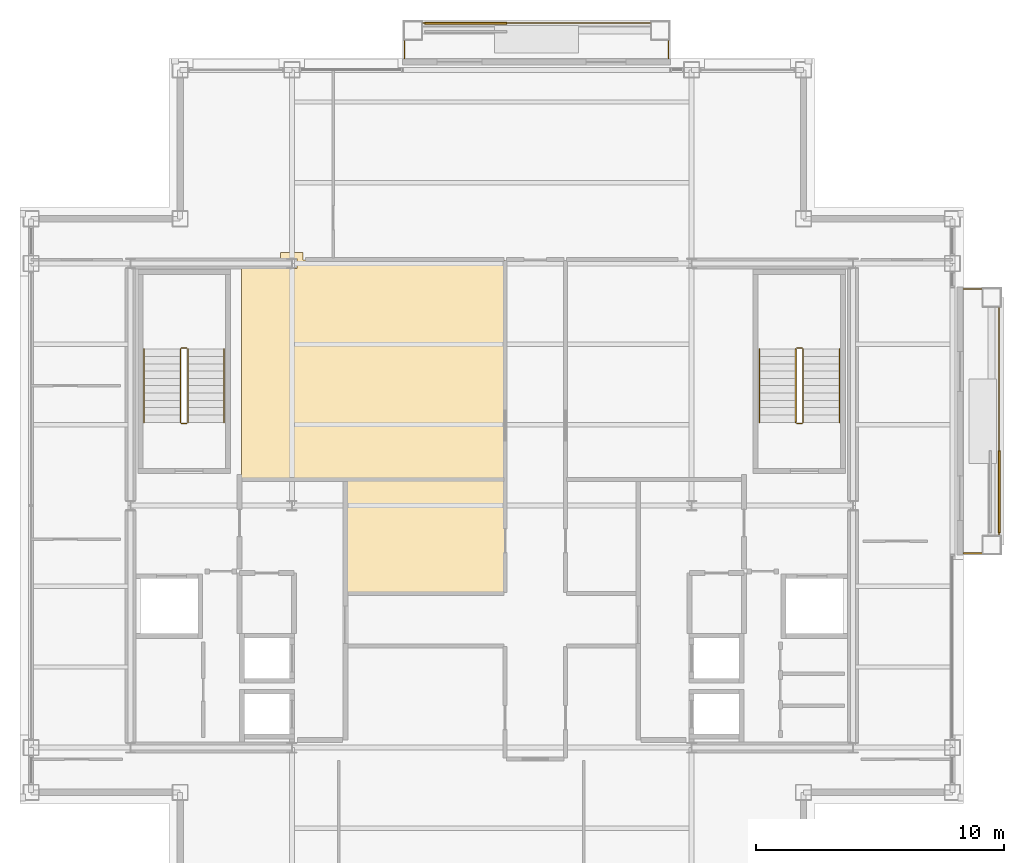
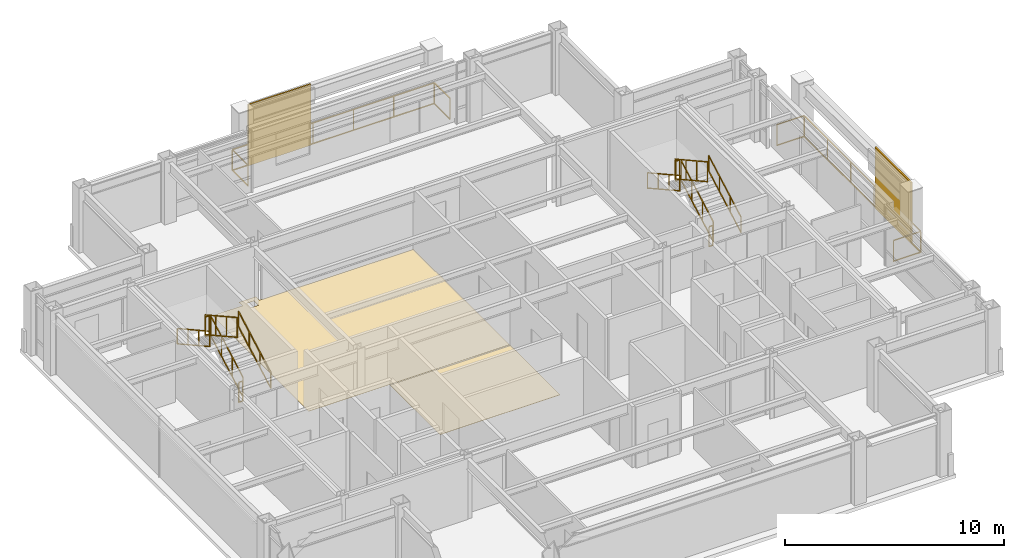
# One storey, part 23 of 24: 14 railings, 2 coverings, 2 shading devices.
"""IFC4 building model written with IfcOpenShell, lengths in metres."""

from ifc_helpers import new_model, si_unit, direction, frame, origin, origin_2d, place, context, subcontext, project, spatial, polyline, rectangle, outline, extrude, material, layer, layer_set, type_object, element, save


model = new_model("IFC4")

# Units and contexts
model_context = context("Model", 3, precision=1e-05, world=origin(), true_north=direction((0.0, 1.0)))
body_context = subcontext(model_context, "Body", "Model", "MODEL_VIEW")
ifc_project = project(units=[si_unit("LENGTHUNIT", "METRE"), si_unit("AREAUNIT", "SQUARE_METRE"), si_unit("VOLUMEUNIT", "CUBIC_METRE"), si_unit("PLANEANGLEUNIT", "RADIAN"), si_unit("MASSUNIT", "GRAM", prefix="KILO")], contexts=[model_context])

# Site, building, storey
site_placement = place(None, origin())
site = spatial("IfcSite", under=ifc_project, at=site_placement, CompositionType="ELEMENT")
building_placement = place(site_placement, origin())
building = spatial("IfcBuilding", under=site, at=building_placement, Name="Brelmoor Portico Tower", CompositionType="ELEMENT")
storey_placement = place(building_placement, frame((0.0, 0.0, 240.0)))
storey = spatial("IfcBuildingStorey", under=building, at=storey_placement, Name="L63", CompositionType="ELEMENT", Elevation=240.0)

# Coverings
ifc_material_1 = material(Name="Solution-Dyed Nylon Acoustic Carpet Tile", Category="textile")
ifc_layer_1 = layer(ifc_material_1, 0.013916015625)
ifc_layer_set_1 = layer_set([ifc_layer_1], Name="Solution-Dyed Nylon Acoustic Carpet Tile")
covering_type_1 = type_object("IfcCoveringType", Name="CV-FLR-CARPET-14", PredefinedType="FLOORING", material=ifc_layer_set_1)
covering_1_placement = place(storey_placement, origin())
element("IfcCovering", 1, at=covering_1_placement, inside=storey, type_object=covering_type_1, Name="L63 Architectural Floor Finish 01", PredefinedType="FLOORING", context=body_context, shape_type="SweptSolid", body=[
    extrude(outline(polyline([(-10.080078125, 9.8798828125), (-8.5, 9.8798828125), (-8.5, 10.199951171875), (-7.60009765625, 10.199951171875), (-7.60009765625, 9.8798828125), (0.510009765625, 9.8798828125), (0.510009765625, 1.090087890625), (-10.080078125, 1.090087890625), (-10.080078125, 9.8798828125)]), holes=[polyline([(-7.85009765625, 9.550048828125), (-7.85009765625, 9.949951171875), (-8.25, 9.949951171875), (-8.25, 9.550048828125), (-7.85009765625, 9.550048828125)])]), origin(), (0.0, 0.0, 1.0), 0.013916015625),
])
ifc_material_2 = material(Name="Rectified Vitrified Porcelain Floor Tile", Category="ceramic")
ifc_layer_2 = layer(ifc_material_2, 0.01806640625)
ifc_layer_set_2 = layer_set([ifc_layer_2], Name="Rectified Vitrified Porcelain Floor Tile")
covering_type_2 = type_object("IfcCoveringType", Name="CV-FLR-PORCELAIN-18", PredefinedType="FLOORING", material=ifc_layer_set_2)
covering_2_placement = place(storey_placement, origin())
element("IfcCovering", 2, at=covering_2_placement, inside=storey, type_object=covering_type_2, Name="L63 Architectural Floor Finish 02", PredefinedType="FLOORING", context=body_context, shape_type="SweptSolid", body=[
    extrude(outline(polyline([(-5.820068359375, -3.510009765625), (-5.820068359375, 1.0400390625), (0.510009765625, 1.0400390625), (0.510009765625, -3.510009765625), (-5.820068359375, -3.510009765625)])), origin(), (0.0, 0.0, 1.0), 0.01806640625),
])

# Railings
ifc_material_3 = material(Name="Perforated Pale Champagne Aluminium Fretwork Guard", Category="aluminium")
railing_type_1 = type_object("IfcRailingType", Name="RL-BALUSTRADE-1200", PredefinedType="BALUSTRADE", material=ifc_material_3)
railing_1_placement = place(storey_placement, frame((-3.52001953125, 18.0, 0.0)))
element("IfcRailing", 3, at=railing_1_placement, inside=storey, type_object=railing_type_1, Name="L63 Tree Balcony Fretwork Balustrade N", PredefinedType="BALUSTRADE", context=body_context, shape_type="SweptSolid", body=[
    extrude(rectangle(XDim=0.048095703125, YDim=0.048095703125, at=origin_2d()), frame((0.0, 0.0, 1.17578125), z_axis=(0.0, 1.0, 0.0), x_axis=(-1.0, 0.0, 0.0)), (0.0, 0.0, 1.0), 1.429931640625),
    extrude(rectangle(XDim=0.048095703125, YDim=0.048095703125, at=origin_2d()), frame((0.0, 0.0, 0.02392578125), z_axis=(0.0, 1.0, 0.0), x_axis=(-1.0, 0.0, 0.0)), (0.0, 0.0, 1.0), 1.429931640625),
    extrude(rectangle(XDim=0.048095703125, YDim=0.048095703125, at=origin_2d()), frame((0.0, 1.429931640625, 1.17578125), z_axis=(1.0, 0.0, 0.0), x_axis=(0.0, 1.0, 0.0)), (0.0, 0.0, 1.0), 10.64013671875),
    extrude(rectangle(XDim=0.048095703125, YDim=0.048095703125, at=origin_2d()), frame((0.0, 1.429931640625, 0.02392578125), z_axis=(1.0, 0.0, 0.0), x_axis=(0.0, 1.0, 0.0)), (0.0, 0.0, 1.0), 10.64013671875),
    extrude(rectangle(XDim=0.048095703125, YDim=0.048095703125, at=origin_2d()), frame((10.64013671875, 1.429931640625, 1.17578125), z_axis=(0.0, -1.0, 0.0), x_axis=(1.0, 0.0, 0.0)), (0.0, 0.0, 1.0), 1.429931640625),
    extrude(rectangle(XDim=0.048095703125, YDim=0.048095703125, at=origin_2d()), frame((10.64013671875, 1.429931640625, 0.02392578125), z_axis=(0.0, -1.0, 0.0), x_axis=(1.0, 0.0, 0.0)), (0.0, 0.0, 1.0), 1.429931640625),
    extrude(rectangle(XDim=0.0419921875, YDim=0.0419921875, at=origin_2d()), origin(), (0.0, 0.0, 1.0), 1.15185546875),
    extrude(rectangle(XDim=0.0419921875, YDim=0.0419921875, at=origin_2d()), frame((0.0, 1.429931640625, 0.0)), (0.0, 0.0, 1.0), 1.15185546875),
    extrude(rectangle(XDim=0.0419921875, YDim=0.0419921875, at=origin_2d()), frame((2.1279296875, 1.429931640625, 0.0)), (0.0, 0.0, 1.0), 1.15185546875),
    extrude(rectangle(XDim=0.0419921875, YDim=0.0419921875, at=origin_2d()), frame((4.256103515625, 1.429931640625, 0.0)), (0.0, 0.0, 1.0), 1.15185546875),
    extrude(rectangle(XDim=0.0419921875, YDim=0.0419921875, at=origin_2d()), frame((6.384033203125, 1.429931640625, 0.0)), (0.0, 0.0, 1.0), 1.15185546875),
    extrude(rectangle(XDim=0.0419921875, YDim=0.0419921875, at=origin_2d()), frame((8.51220703125, 1.429931640625, 0.0)), (0.0, 0.0, 1.0), 1.15185546875),
    extrude(rectangle(XDim=0.0419921875, YDim=0.0419921875, at=origin_2d()), frame((10.64013671875, 1.429931640625, 0.0)), (0.0, 0.0, 1.0), 1.15185546875),
    extrude(rectangle(XDim=0.0419921875, YDim=0.0419921875, at=origin_2d()), frame((10.64013671875, 0.0, 0.0)), (0.0, 0.0, 1.0), 1.15185546875),
])
railing_2_placement = place(storey_placement, frame((19.0, -1.919921875, 0.0)))
element("IfcRailing", 4, at=railing_2_placement, inside=storey, type_object=railing_type_1, Name="L63 Tree Balcony Fretwork Balustrade E", PredefinedType="BALUSTRADE", context=body_context, shape_type="SweptSolid", body=[
    extrude(rectangle(XDim=0.048095703125, YDim=0.048095703125, at=origin_2d()), frame((0.0, 0.0, 1.17578125), z_axis=(1.0, 0.0, 0.0), x_axis=(0.0, 1.0, 0.0)), (0.0, 0.0, 1.0), 1.429931640625),
    extrude(rectangle(XDim=0.048095703125, YDim=0.048095703125, at=origin_2d()), frame((0.0, 0.0, 0.02392578125), z_axis=(1.0, 0.0, 0.0), x_axis=(0.0, 1.0, 0.0)), (0.0, 0.0, 1.0), 1.429931640625),
    extrude(rectangle(XDim=0.048095703125, YDim=0.048095703125, at=origin_2d()), frame((1.429931640625, 0.0, 1.17578125), z_axis=(0.0, 1.0, 0.0), x_axis=(-1.0, 0.0, 0.0)), (0.0, 0.0, 1.0), 10.639892578125),
    extrude(rectangle(XDim=0.048095703125, YDim=0.048095703125, at=origin_2d()), frame((1.429931640625, 0.0, 0.02392578125), z_axis=(0.0, 1.0, 0.0), x_axis=(-1.0, 0.0, 0.0)), (0.0, 0.0, 1.0), 10.639892578125),
    extrude(rectangle(XDim=0.048095703125, YDim=0.048095703125, at=origin_2d()), frame((1.429931640625, 10.639892578125, 1.17578125), z_axis=(-1.0, 0.0, 0.0), x_axis=(0.0, -1.0, 0.0)), (0.0, 0.0, 1.0), 1.429931640625),
    extrude(rectangle(XDim=0.048095703125, YDim=0.048095703125, at=origin_2d()), frame((1.429931640625, 10.639892578125, 0.02392578125), z_axis=(-1.0, 0.0, 0.0), x_axis=(0.0, -1.0, 0.0)), (0.0, 0.0, 1.0), 1.429931640625),
    extrude(rectangle(XDim=0.0419921875, YDim=0.0419921875, at=origin_2d()), origin(), (0.0, 0.0, 1.0), 1.15185546875),
    extrude(rectangle(XDim=0.0419921875, YDim=0.0419921875, at=origin_2d()), frame((1.429931640625, 0.0, 0.0)), (0.0, 0.0, 1.0), 1.15185546875),
    extrude(rectangle(XDim=0.0419921875, YDim=0.0419921875, at=origin_2d()), frame((1.429931640625, 2.1279296875, 0.0)), (0.0, 0.0, 1.0), 1.15185546875),
    extrude(rectangle(XDim=0.0419921875, YDim=0.0419921875, at=origin_2d()), frame((1.429931640625, 4.255859375, 0.0)), (0.0, 0.0, 1.0), 1.15185546875),
    extrude(rectangle(XDim=0.0419921875, YDim=0.0419921875, at=origin_2d()), frame((1.429931640625, 6.384033203125, 0.0)), (0.0, 0.0, 1.0), 1.15185546875),
    extrude(rectangle(XDim=0.0419921875, YDim=0.0419921875, at=origin_2d()), frame((1.429931640625, 8.511962890625, 0.0)), (0.0, 0.0, 1.0), 1.15185546875),
    extrude(rectangle(XDim=0.0419921875, YDim=0.0419921875, at=origin_2d()), frame((1.429931640625, 10.639892578125, 0.0)), (0.0, 0.0, 1.0), 1.15185546875),
    extrude(rectangle(XDim=0.0419921875, YDim=0.0419921875, at=origin_2d()), frame((0.0, 10.639892578125, 0.0)), (0.0, 0.0, 1.0), 1.15185546875),
])
ifc_material_4 = material(Name="Painted Tubular Steel Q235B", Category="steel")
railing_type_2 = type_object("IfcRailingType", Name="RL-STAIR-GUARD", PredefinedType="GUARDRAIL", material=ifc_material_4)
railing_3_placement = place(storey_placement, frame((-12.239990234375, 3.35009765625, 0.16357421875)))
element("IfcRailing", 5, at=railing_3_placement, inside=storey, type_object=railing_type_2, Name="L63 ST-W stair guard 1", PredefinedType="GUARDRAIL", context=body_context, shape_type="SweptSolid", body=[
    extrude(rectangle(XDim=0.048095703125, YDim=0.048095703125, at=origin_2d()), frame((0.0, 0.0, 1.1259765625), z_axis=(0.0, 0.874457516365, 0.485102104791), x_axis=(-1.0, 0.0, 0.0)), (0.0, 0.0, 1.0), 3.37353515625),
    extrude(rectangle(XDim=0.048095703125, YDim=0.048095703125, at=origin_2d()), frame((0.0, 0.0, 0.02392578125), z_axis=(0.0, 0.874457516365, 0.485102104791), x_axis=(-1.0, 0.0, 0.0)), (0.0, 0.0, 1.0), 3.37353515625),
    extrude(rectangle(XDim=0.0419921875, YDim=0.0419921875, at=origin_2d()), origin(), (0.0, 0.0, 1.0), 1.101806640625),
    extrude(rectangle(XDim=0.0419921875, YDim=0.0419921875, at=origin_2d()), frame((0.0, 0.9833984375, 0.54541015625)), (0.0, 0.0, 1.0), 1.101806640625),
    extrude(rectangle(XDim=0.0419921875, YDim=0.0419921875, at=origin_2d()), frame((0.0, 1.966552734375, 1.091064453125)), (0.0, 0.0, 1.0), 1.101806640625),
    extrude(rectangle(XDim=0.0419921875, YDim=0.0419921875, at=origin_2d()), frame((0.0, 2.949951171875, 1.636474609375)), (0.0, 0.0, 1.0), 1.101806640625),
])
railing_4_placement = place(storey_placement, frame((-12.2900390625, 6.35009765625, 1.800048828125)))
element("IfcRailing", 6, at=railing_4_placement, inside=storey, type_object=railing_type_2, Name="L63 ST-W stair guard 2", PredefinedType="GUARDRAIL", context=body_context, shape_type="SweptSolid", body=[
    extrude(rectangle(XDim=0.048095703125, YDim=0.048095703125, at=origin_2d()), frame((0.0, 0.0, 1.1259765625), z_axis=(-1.0, 0.0, 0.0), x_axis=(0.0, -1.0, 0.0)), (0.0, 0.0, 1.0), 0.199951171875),
    extrude(rectangle(XDim=0.048095703125, YDim=0.048095703125, at=origin_2d()), frame((0.0, 0.0, 0.02392578125), z_axis=(-1.0, 0.0, 0.0), x_axis=(0.0, -1.0, 0.0)), (0.0, 0.0, 1.0), 0.199951171875),
    extrude(rectangle(XDim=0.0419921875, YDim=0.0419921875, at=origin_2d()), origin(), (0.0, 0.0, 1.0), 1.101806640625),
    extrude(rectangle(XDim=0.0419921875, YDim=0.0419921875, at=origin_2d()), frame((-0.199951171875, 0.0, 0.0)), (0.0, 0.0, 1.0), 1.101806640625),
])
railing_5_placement = place(storey_placement, frame((-12.5400390625, 6.300048828125, 1.963623046875)))
element("IfcRailing", 7, at=railing_5_placement, inside=storey, type_object=railing_type_2, Name="L63 ST-W stair guard 3", PredefinedType="GUARDRAIL", context=body_context, shape_type="SweptSolid", body=[
    extrude(rectangle(XDim=0.048095703125, YDim=0.048095703125, at=origin_2d()), frame((0.0, 0.0, 1.1259765625), z_axis=(0.0, -0.874457516365, 0.485102104791), x_axis=(1.0, 0.0, 0.0)), (0.0, 0.0, 1.0), 3.37353515625),
    extrude(rectangle(XDim=0.048095703125, YDim=0.048095703125, at=origin_2d()), frame((0.0, 0.0, 0.02392578125), z_axis=(0.0, -0.874457516365, 0.485102104791), x_axis=(1.0, 0.0, 0.0)), (0.0, 0.0, 1.0), 3.37353515625),
    extrude(rectangle(XDim=0.0419921875, YDim=0.0419921875, at=origin_2d()), origin(), (0.0, 0.0, 1.0), 1.101806640625),
    extrude(rectangle(XDim=0.0419921875, YDim=0.0419921875, at=origin_2d()), frame((0.0, -0.9833984375, 0.54541015625)), (0.0, 0.0, 1.0), 1.101806640625),
    extrude(rectangle(XDim=0.0419921875, YDim=0.0419921875, at=origin_2d()), frame((0.0, -1.966552734375, 1.091064453125)), (0.0, 0.0, 1.0), 1.101806640625),
    extrude(rectangle(XDim=0.0419921875, YDim=0.0419921875, at=origin_2d()), frame((0.0, -2.949951171875, 1.636474609375)), (0.0, 0.0, 1.0), 1.101806640625),
])
railing_6_placement = place(storey_placement, frame((-12.2900390625, 3.300048828125, 0.0)))
element("IfcRailing", 8, at=railing_6_placement, inside=storey, type_object=railing_type_2, Name="L63 ST-W stair guard 4", PredefinedType="GUARDRAIL", context=body_context, shape_type="SweptSolid", body=[
    extrude(rectangle(XDim=0.048095703125, YDim=0.048095703125, at=origin_2d()), frame((0.0, 0.0, 1.1259765625), z_axis=(-1.0, 0.0, 0.0), x_axis=(0.0, -1.0, 0.0)), (0.0, 0.0, 1.0), 0.199951171875),
    extrude(rectangle(XDim=0.048095703125, YDim=0.048095703125, at=origin_2d()), frame((0.0, 0.0, 0.02392578125), z_axis=(-1.0, 0.0, 0.0), x_axis=(0.0, -1.0, 0.0)), (0.0, 0.0, 1.0), 0.199951171875),
    extrude(rectangle(XDim=0.0419921875, YDim=0.0419921875, at=origin_2d()), origin(), (0.0, 0.0, 1.0), 1.101806640625),
    extrude(rectangle(XDim=0.0419921875, YDim=0.0419921875, at=origin_2d()), frame((-0.199951171875, 0.0, 0.0)), (0.0, 0.0, 1.0), 1.101806640625),
])
railing_7_placement = place(storey_placement, frame((12.5400390625, 3.35009765625, 0.16357421875)))
element("IfcRailing", 9, at=railing_7_placement, inside=storey, type_object=railing_type_2, Name="L63 ST-E stair guard 1", PredefinedType="GUARDRAIL", context=body_context, shape_type="SweptSolid", body=[
    extrude(rectangle(XDim=0.048095703125, YDim=0.048095703125, at=origin_2d()), frame((0.0, 0.0, 1.1259765625), z_axis=(0.0, 0.874457516365, 0.485102104791), x_axis=(-1.0, 0.0, 0.0)), (0.0, 0.0, 1.0), 3.37353515625),
    extrude(rectangle(XDim=0.048095703125, YDim=0.048095703125, at=origin_2d()), frame((0.0, 0.0, 0.02392578125), z_axis=(0.0, 0.874457516365, 0.485102104791), x_axis=(-1.0, 0.0, 0.0)), (0.0, 0.0, 1.0), 3.37353515625),
    extrude(rectangle(XDim=0.0419921875, YDim=0.0419921875, at=origin_2d()), origin(), (0.0, 0.0, 1.0), 1.101806640625),
    extrude(rectangle(XDim=0.0419921875, YDim=0.0419921875, at=origin_2d()), frame((0.0, 0.9833984375, 0.54541015625)), (0.0, 0.0, 1.0), 1.101806640625),
    extrude(rectangle(XDim=0.0419921875, YDim=0.0419921875, at=origin_2d()), frame((0.0, 1.966552734375, 1.091064453125)), (0.0, 0.0, 1.0), 1.101806640625),
    extrude(rectangle(XDim=0.0419921875, YDim=0.0419921875, at=origin_2d()), frame((0.0, 2.949951171875, 1.636474609375)), (0.0, 0.0, 1.0), 1.101806640625),
])
railing_8_placement = place(storey_placement, frame((12.489990234375, 6.35009765625, 1.800048828125)))
element("IfcRailing", 10, at=railing_8_placement, inside=storey, type_object=railing_type_2, Name="L63 ST-E stair guard 2", PredefinedType="GUARDRAIL", context=body_context, shape_type="SweptSolid", body=[
    extrude(rectangle(XDim=0.048095703125, YDim=0.048095703125, at=origin_2d()), frame((0.0, 0.0, 1.1259765625), z_axis=(-1.0, 0.0, 0.0), x_axis=(0.0, -1.0, 0.0)), (0.0, 0.0, 1.0), 0.199951171875),
    extrude(rectangle(XDim=0.048095703125, YDim=0.048095703125, at=origin_2d()), frame((0.0, 0.0, 0.02392578125), z_axis=(-1.0, 0.0, 0.0), x_axis=(0.0, -1.0, 0.0)), (0.0, 0.0, 1.0), 0.199951171875),
    extrude(rectangle(XDim=0.0419921875, YDim=0.0419921875, at=origin_2d()), origin(), (0.0, 0.0, 1.0), 1.101806640625),
    extrude(rectangle(XDim=0.0419921875, YDim=0.0419921875, at=origin_2d()), frame((-0.199951171875, 0.0, 0.0)), (0.0, 0.0, 1.0), 1.101806640625),
])
railing_9_placement = place(storey_placement, frame((12.239990234375, 6.300048828125, 1.963623046875)))
element("IfcRailing", 11, at=railing_9_placement, inside=storey, type_object=railing_type_2, Name="L63 ST-E stair guard 3", PredefinedType="GUARDRAIL", context=body_context, shape_type="SweptSolid", body=[
    extrude(rectangle(XDim=0.048095703125, YDim=0.048095703125, at=origin_2d()), frame((0.0, 0.0, 1.1259765625), z_axis=(0.0, -0.874457516365, 0.485102104791), x_axis=(1.0, 0.0, 0.0)), (0.0, 0.0, 1.0), 3.37353515625),
    extrude(rectangle(XDim=0.048095703125, YDim=0.048095703125, at=origin_2d()), frame((0.0, 0.0, 0.02392578125), z_axis=(0.0, -0.874457516365, 0.485102104791), x_axis=(1.0, 0.0, 0.0)), (0.0, 0.0, 1.0), 3.37353515625),
    extrude(rectangle(XDim=0.0419921875, YDim=0.0419921875, at=origin_2d()), origin(), (0.0, 0.0, 1.0), 1.101806640625),
    extrude(rectangle(XDim=0.0419921875, YDim=0.0419921875, at=origin_2d()), frame((0.0, -0.9833984375, 0.54541015625)), (0.0, 0.0, 1.0), 1.101806640625),
    extrude(rectangle(XDim=0.0419921875, YDim=0.0419921875, at=origin_2d()), frame((0.0, -1.966552734375, 1.091064453125)), (0.0, 0.0, 1.0), 1.101806640625),
    extrude(rectangle(XDim=0.0419921875, YDim=0.0419921875, at=origin_2d()), frame((0.0, -2.949951171875, 1.636474609375)), (0.0, 0.0, 1.0), 1.101806640625),
])
railing_10_placement = place(storey_placement, frame((12.489990234375, 3.300048828125, 0.0)))
element("IfcRailing", 12, at=railing_10_placement, inside=storey, type_object=railing_type_2, Name="L63 ST-E stair guard 4", PredefinedType="GUARDRAIL", context=body_context, shape_type="SweptSolid", body=[
    extrude(rectangle(XDim=0.048095703125, YDim=0.048095703125, at=origin_2d()), frame((0.0, 0.0, 1.1259765625), z_axis=(-1.0, 0.0, 0.0), x_axis=(0.0, -1.0, 0.0)), (0.0, 0.0, 1.0), 0.199951171875),
    extrude(rectangle(XDim=0.048095703125, YDim=0.048095703125, at=origin_2d()), frame((0.0, 0.0, 0.02392578125), z_axis=(-1.0, 0.0, 0.0), x_axis=(0.0, -1.0, 0.0)), (0.0, 0.0, 1.0), 0.199951171875),
    extrude(rectangle(XDim=0.0419921875, YDim=0.0419921875, at=origin_2d()), origin(), (0.0, 0.0, 1.0), 1.101806640625),
    extrude(rectangle(XDim=0.0419921875, YDim=0.0419921875, at=origin_2d()), frame((-0.199951171875, 0.0, 0.0)), (0.0, 0.0, 1.0), 1.101806640625),
])
ifc_material_5 = material(Name="Brushed Stainless Steel 304", Category="steel")
railing_type_3 = type_object("IfcRailingType", Name="RL-STAIR-HANDRAIL", PredefinedType="HANDRAIL", material=ifc_material_5)
railing_11_placement = place(storey_placement, frame((-10.780029296875, 3.35009765625, 0.16357421875)))
element("IfcRailing", 13, at=railing_11_placement, inside=storey, type_object=railing_type_3, Name="L63 ST-W stair handrail 1", PredefinedType="HANDRAIL", context=body_context, shape_type="SweptSolid", body=[
    extrude(rectangle(XDim=0.048095703125, YDim=0.048095703125, at=origin_2d()), frame((0.0, 0.0, 0.8759765625), z_axis=(0.0, 0.874457516365, 0.485102104791), x_axis=(-1.0, 0.0, 0.0)), (0.0, 0.0, 1.0), 3.37353515625),
    extrude(rectangle(XDim=0.048095703125, YDim=0.048095703125, at=origin_2d()), frame((0.0, 0.0, 0.02392578125), z_axis=(0.0, 0.874457516365, 0.485102104791), x_axis=(-1.0, 0.0, 0.0)), (0.0, 0.0, 1.0), 3.37353515625),
    extrude(rectangle(XDim=0.0419921875, YDim=0.0419921875, at=origin_2d()), origin(), (0.0, 0.0, 1.0), 0.851806640625),
    extrude(rectangle(XDim=0.0419921875, YDim=0.0419921875, at=origin_2d()), frame((0.0, 0.9833984375, 0.54541015625)), (0.0, 0.0, 1.0), 0.851806640625),
    extrude(rectangle(XDim=0.0419921875, YDim=0.0419921875, at=origin_2d()), frame((0.0, 1.966552734375, 1.091064453125)), (0.0, 0.0, 1.0), 0.851806640625),
    extrude(rectangle(XDim=0.0419921875, YDim=0.0419921875, at=origin_2d()), frame((0.0, 2.949951171875, 1.636474609375)), (0.0, 0.0, 1.0), 0.851806640625),
])
railing_12_placement = place(storey_placement, frame((-14.0, 6.300048828125, 1.963623046875)))
element("IfcRailing", 14, at=railing_12_placement, inside=storey, type_object=railing_type_3, Name="L63 ST-W stair handrail 2", PredefinedType="HANDRAIL", context=body_context, shape_type="SweptSolid", body=[
    extrude(rectangle(XDim=0.048095703125, YDim=0.048095703125, at=origin_2d()), frame((0.0, 0.0, 0.8759765625), z_axis=(0.0, -0.874457516365, 0.485102104791), x_axis=(1.0, 0.0, 0.0)), (0.0, 0.0, 1.0), 3.37353515625),
    extrude(rectangle(XDim=0.048095703125, YDim=0.048095703125, at=origin_2d()), frame((0.0, 0.0, 0.02392578125), z_axis=(0.0, -0.874457516365, 0.485102104791), x_axis=(1.0, 0.0, 0.0)), (0.0, 0.0, 1.0), 3.37353515625),
    extrude(rectangle(XDim=0.0419921875, YDim=0.0419921875, at=origin_2d()), origin(), (0.0, 0.0, 1.0), 0.851806640625),
    extrude(rectangle(XDim=0.0419921875, YDim=0.0419921875, at=origin_2d()), frame((0.0, -0.9833984375, 0.54541015625)), (0.0, 0.0, 1.0), 0.851806640625),
    extrude(rectangle(XDim=0.0419921875, YDim=0.0419921875, at=origin_2d()), frame((0.0, -1.966552734375, 1.091064453125)), (0.0, 0.0, 1.0), 0.851806640625),
    extrude(rectangle(XDim=0.0419921875, YDim=0.0419921875, at=origin_2d()), frame((0.0, -2.949951171875, 1.636474609375)), (0.0, 0.0, 1.0), 0.851806640625),
])
railing_13_placement = place(storey_placement, frame((14.0, 3.35009765625, 0.16357421875)))
element("IfcRailing", 15, at=railing_13_placement, inside=storey, type_object=railing_type_3, Name="L63 ST-E stair handrail 1", PredefinedType="HANDRAIL", context=body_context, shape_type="SweptSolid", body=[
    extrude(rectangle(XDim=0.048095703125, YDim=0.048095703125, at=origin_2d()), frame((0.0, 0.0, 0.8759765625), z_axis=(0.0, 0.874457516365, 0.485102104791), x_axis=(-1.0, 0.0, 0.0)), (0.0, 0.0, 1.0), 3.37353515625),
    extrude(rectangle(XDim=0.048095703125, YDim=0.048095703125, at=origin_2d()), frame((0.0, 0.0, 0.02392578125), z_axis=(0.0, 0.874457516365, 0.485102104791), x_axis=(-1.0, 0.0, 0.0)), (0.0, 0.0, 1.0), 3.37353515625),
    extrude(rectangle(XDim=0.0419921875, YDim=0.0419921875, at=origin_2d()), origin(), (0.0, 0.0, 1.0), 0.851806640625),
    extrude(rectangle(XDim=0.0419921875, YDim=0.0419921875, at=origin_2d()), frame((0.0, 0.9833984375, 0.54541015625)), (0.0, 0.0, 1.0), 0.851806640625),
    extrude(rectangle(XDim=0.0419921875, YDim=0.0419921875, at=origin_2d()), frame((0.0, 1.966552734375, 1.091064453125)), (0.0, 0.0, 1.0), 0.851806640625),
    extrude(rectangle(XDim=0.0419921875, YDim=0.0419921875, at=origin_2d()), frame((0.0, 2.949951171875, 1.636474609375)), (0.0, 0.0, 1.0), 0.851806640625),
])
railing_14_placement = place(storey_placement, frame((10.780029296875, 6.300048828125, 1.963623046875)))
element("IfcRailing", 16, at=railing_14_placement, inside=storey, type_object=railing_type_3, Name="L63 ST-E stair handrail 2", PredefinedType="HANDRAIL", context=body_context, shape_type="SweptSolid", body=[
    extrude(rectangle(XDim=0.048095703125, YDim=0.048095703125, at=origin_2d()), frame((0.0, 0.0, 0.8759765625), z_axis=(0.0, -0.874457516365, 0.485102104791), x_axis=(1.0, 0.0, 0.0)), (0.0, 0.0, 1.0), 3.37353515625),
    extrude(rectangle(XDim=0.048095703125, YDim=0.048095703125, at=origin_2d()), frame((0.0, 0.0, 0.02392578125), z_axis=(0.0, -0.874457516365, 0.485102104791), x_axis=(1.0, 0.0, 0.0)), (0.0, 0.0, 1.0), 3.37353515625),
    extrude(rectangle(XDim=0.0419921875, YDim=0.0419921875, at=origin_2d()), origin(), (0.0, 0.0, 1.0), 0.851806640625),
    extrude(rectangle(XDim=0.0419921875, YDim=0.0419921875, at=origin_2d()), frame((0.0, -0.9833984375, 0.54541015625)), (0.0, 0.0, 1.0), 0.851806640625),
    extrude(rectangle(XDim=0.0419921875, YDim=0.0419921875, at=origin_2d()), frame((0.0, -1.966552734375, 1.091064453125)), (0.0, 0.0, 1.0), 0.851806640625),
    extrude(rectangle(XDim=0.0419921875, YDim=0.0419921875, at=origin_2d()), frame((0.0, -2.949951171875, 1.636474609375)), (0.0, 0.0, 1.0), 0.851806640625),
])

# Shading devices
ifc_material_6 = material(Name="Powder-Coated Aluminium Shuttered Jalousie", Category="aluminium")
ifc_layer_3 = layer(ifc_material_6, 0.080078125)
ifc_layer_set_3 = layer_set([ifc_layer_3], Name="Powder-Coated Aluminium Shuttered Jalousie")
shading_device_type = type_object("IfcShadingDeviceType", Name="SD-JALOUSIE-LOGGIA", PredefinedType="JALOUSIE", material=ifc_layer_set_3)
for number, where, z_axis, x_axis, name in (
    (17, (-1.050048828125, 19.429931640625, 0.0), (0.0, 0.0, 1.0), (1.0, 0.0, 0.0), "L63 Loggia Shuttered Jalousie N"),
    (18, (20.429931640625, 0.550048828125, 0.0), (0.0, 0.0, 1.0), (0.0, 1.0, 0.0), "L63 Loggia Shuttered Jalousie E"),
):
    element("IfcShadingDevice", number, at=place(storey_placement, frame(where, z_axis=z_axis, x_axis=x_axis)), inside=storey, type_object=shading_device_type, Name=name, PredefinedType="JALOUSIE", context=body_context, shape_type="SweptSolid", body=[
        extrude(rectangle(XDim=3.300048828125, YDim=0.080078125, at=origin_2d()), origin(), (0.0, 0.0, 1.0), 3.39990234375),
    ])

save(model, "model.ifc")
